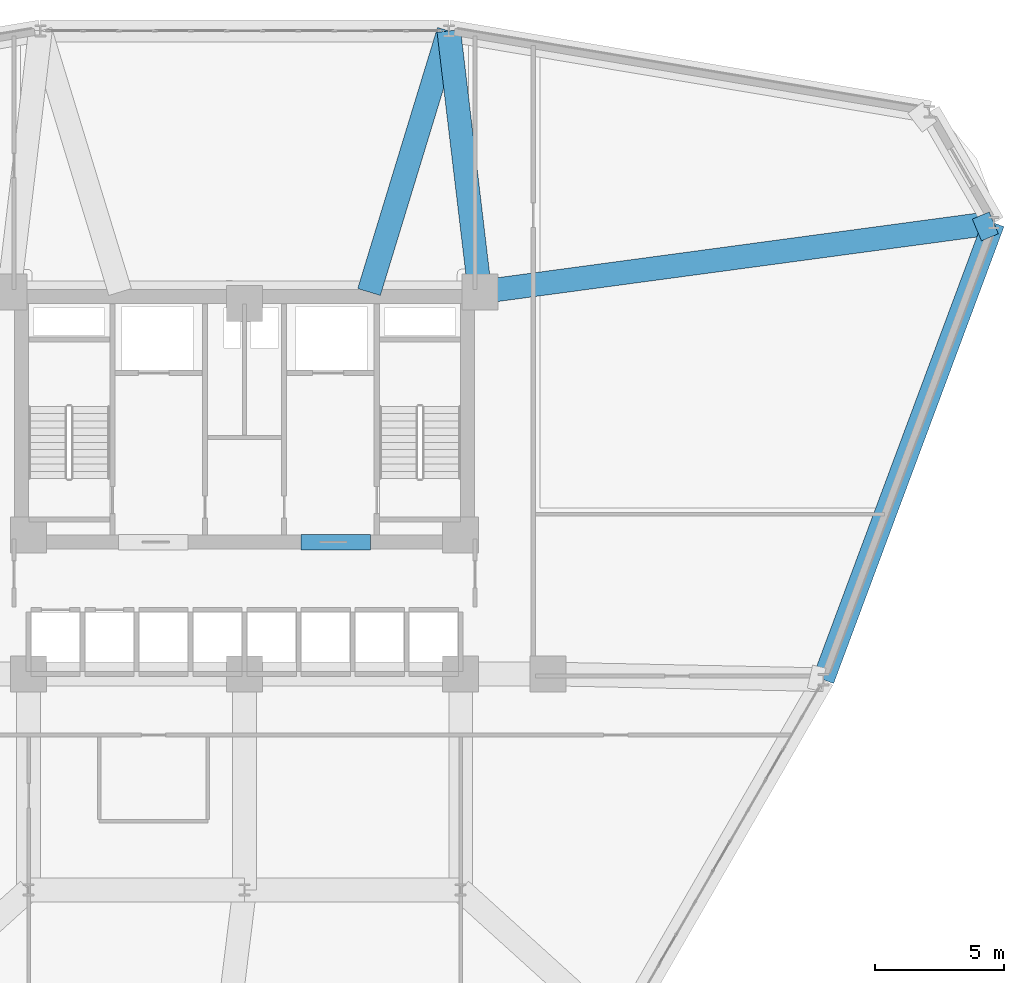
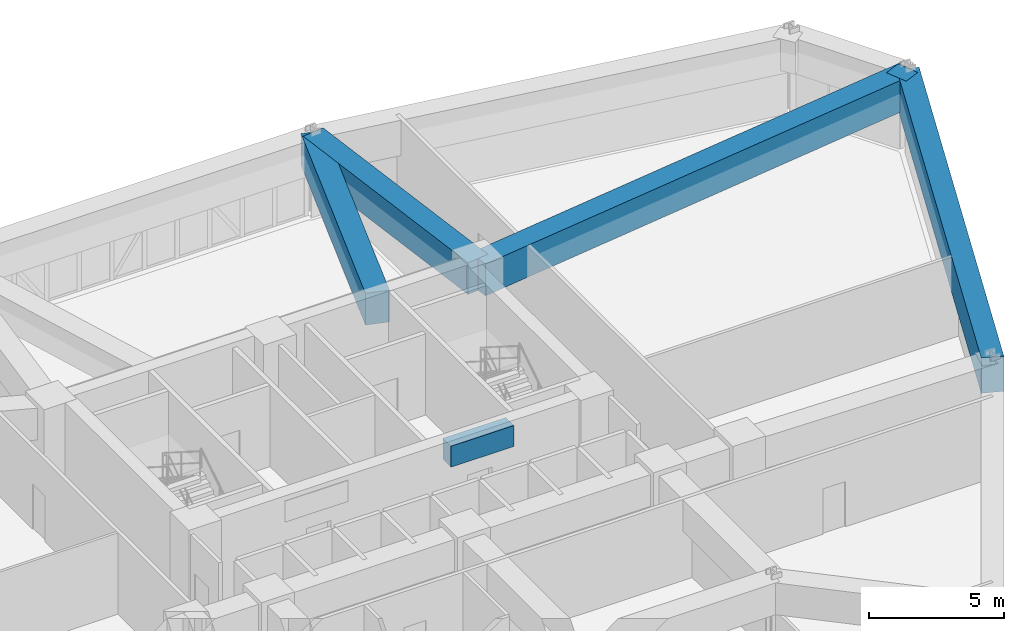
# One storey, part 12 of 20: 6 beams.
"""IFC4 building model written with IfcOpenShell, lengths in metres."""

import ifcopenshell
import ifcopenshell.guid

model = None  # the IFC model being written
_history = None  # IfcOwnerHistory: only IFC2X3 demands one
_inside = {}  # id of a spatial element -> (the spatial element, [elements in it])
_under = {}  # id of a project, library or spatial element -> (it, [spatial elements below it])
_declared = {}  # id of a project -> (the project, [libraries it declares])
_typed = {}  # id of a type object -> (the type object, [elements of that type])
_made_of = {}  # id of a material, layer set ... -> (it, [elements and type objects made of it])


def new_model(schema):
    """Start an empty IFC model of exactly this schema.

    Asked for "IFC4X3", IfcOpenShell would pick the latest addendum, in which some entities
    have other attributes; the version numbers below select the first issue.
    IFC2X3 requires an IfcOwnerHistory on every rooted entity: one is made here for all.
    """
    global model, _history
    if schema == "IFC4X3":
        model = ifcopenshell.file(schema_version=(4, 3, 0, 0))
    else:
        model = ifcopenshell.file(schema=schema)
    _inside.clear()
    _under.clear()
    _declared.clear()
    _typed.clear()
    _made_of.clear()
    _history = None
    if model.schema == "IFC2X3":
        org = make("IfcOrganization", Name="unknown")
        user = make(
            "IfcPersonAndOrganization",
            ThePerson=make("IfcPerson", FamilyName="unknown"),
            TheOrganization=org,
        )
        app = make(
            "IfcApplication",
            ApplicationDeveloper=org,
            Version="unknown",
            ApplicationFullName="unknown",
            ApplicationIdentifier="unknown",
        )
        _history = make(
            "IfcOwnerHistory",
            OwningUser=user,
            OwningApplication=app,
            ChangeAction="ADDED",
            CreationDate=0,
        )
    return model


def make(cls, **values):
    """One entity of the class cls with the attributes given. An attribute that is None is left unset."""
    return model.create_entity(
        cls, **{name: value for name, value in values.items() if value is not None}
    )


def rooted(cls, **values):
    """An entity with a GlobalId (a new one), such as an element, a storey or a relation."""
    return make(cls, GlobalId=ifcopenshell.guid.new(), OwnerHistory=_history, **values)


def si_unit(unit_type, name, prefix=None):
    """IfcSIUnit, for example si_unit("LENGTHUNIT", "METRE", prefix="MILLI")."""
    return make("IfcSIUnit", UnitType=unit_type, Prefix=prefix, Name=name)


def derived_unit(unit_type, elements):
    """IfcDerivedUnit: a product of units, each with its exponent."""
    return make(
        "IfcDerivedUnit",
        Elements=[
            make("IfcDerivedUnitElement", Unit=unit, Exponent=power)
            for unit, power in elements
        ],
        UnitType=unit_type,
    )


def assignment(units):
    """IfcUnitAssignment: the units of a project."""
    return None if units is None else make("IfcUnitAssignment", Units=units)


def point(xyz):
    """IfcCartesianPoint."""
    return None if xyz is None else make("IfcCartesianPoint", Coordinates=xyz)


def direction(xyz):
    """IfcDirection."""
    return None if xyz is None else make("IfcDirection", DirectionRatios=xyz)


def frame(location, z_axis=None, x_axis=None):
    """IfcAxis2Placement3D, a coordinate frame: its origin and axes. An axis left out is left unset."""
    return make(
        "IfcAxis2Placement3D",
        Location=point(location),
        Axis=direction(z_axis),
        RefDirection=direction(x_axis),
    )


def frame_2d(location, x_axis=None):
    """IfcAxis2Placement2D, a coordinate frame in the plane: its origin and x axis."""
    return make(
        "IfcAxis2Placement2D", Location=point(location), RefDirection=direction(x_axis)
    )


def origin():
    """The frame at (0, 0, 0) with its axes left unset."""
    return frame((0.0, 0.0, 0.0))


def origin_2d():
    """The frame at (0, 0) in the plane with its x axis left unset."""
    return frame_2d((0.0, 0.0))


def place(relative_to, where):
    """IfcLocalPlacement: puts the frame where relative to a parent placement (None: the world)."""
    return make(
        "IfcLocalPlacement", PlacementRelTo=relative_to, RelativePlacement=where
    )


def context(
    kind, dimensions, precision=None, world=None, true_north=None, identifier=None
):
    """IfcGeometricRepresentationContext, for example the 3D "Model" context."""
    return make(
        "IfcGeometricRepresentationContext",
        ContextIdentifier=identifier,
        ContextType=kind,
        CoordinateSpaceDimension=dimensions,
        Precision=precision,
        WorldCoordinateSystem=world,
        TrueNorth=true_north,
    )


def subcontext(parent, identifier, kind, view, scale=None):
    """IfcGeometricRepresentationSubContext, for example "Body" below "Model"."""
    return make(
        "IfcGeometricRepresentationSubContext",
        ContextIdentifier=identifier,
        ContextType=kind,
        ParentContext=parent,
        TargetScale=scale,
        TargetView=view,
    )


def project(units=None, contexts=None):
    """IfcProject with its units and contexts."""
    return rooted(
        "IfcProject",
        Name="project",
        RepresentationContexts=contexts,
        UnitsInContext=assignment(units),
    )


def spatial(cls, under=None, at=None, **own):
    """A site, building, storey or space (cls), placed at a placement, below another one or the project."""
    s = rooted(cls, ObjectPlacement=at, **own)
    if under is not None:
        _under.setdefault(under.id(), (under, []))[1].append(s)
    return s


def profile(cls, at=None, kind="AREA", **sizes):
    """A parametric profile (cls). Its sizes go by their IFC names, for example OverallWidth=200.0."""
    return make(cls, ProfileType=kind, Position=at, **sizes)


def rectangle(**sizes):
    """IfcRectangleProfileDef."""
    return profile("IfcRectangleProfileDef", **sizes)


def extrude(swept, where, along, depth):
    """IfcExtrudedAreaSolid: the profile swept, set in the frame where, extruded along a direction by depth."""
    return make(
        "IfcExtrudedAreaSolid",
        SweptArea=swept,
        Position=where,
        ExtrudedDirection=direction(along),
        Depth=depth,
    )


def shape(context_of_items, identifier, shape_type, items):
    """IfcShapeRepresentation: the items that make up one representation, for example the "Body"."""
    return make(
        "IfcShapeRepresentation",
        ContextOfItems=context_of_items,
        RepresentationIdentifier=identifier,
        RepresentationType=shape_type,
        Items=items,
    )


def source(mapping_origin, context_of_items, identifier, shape_type, items):
    """IfcRepresentationMap: a shape defined once, which mapped items show again and again."""
    return make(
        "IfcRepresentationMap",
        MappingOrigin=mapping_origin,
        MappedRepresentation=shape(context_of_items, identifier, shape_type, items),
    )


def transform(
    local_origin,
    x_axis=None,
    y_axis=None,
    z_axis=None,
    scale=None,
    scale2=None,
    scale3=None,
    uniform=True,
):
    """IfcCartesianTransformationOperator3D, or its non-uniform kind. x_axis, y_axis, z_axis: its Axis1, 2, 3."""
    if uniform:
        return make(
            "IfcCartesianTransformationOperator3D",
            Axis1=direction(x_axis),
            Axis2=direction(y_axis),
            LocalOrigin=point(local_origin),
            Scale=scale,
            Axis3=direction(z_axis),
        )
    return make(
        "IfcCartesianTransformationOperator3DnonUniform",
        Axis1=direction(x_axis),
        Axis2=direction(y_axis),
        LocalOrigin=point(local_origin),
        Scale=scale,
        Axis3=direction(z_axis),
        Scale2=scale2,
        Scale3=scale3,
    )


def mapped(mapping_source, mapping_target):
    """IfcMappedItem: shows the shape of a source again, moved by a transform."""
    return make(
        "IfcMappedItem", MappingSource=mapping_source, MappingTarget=mapping_target
    )


def material(Name=None, Category=None):
    """IfcMaterial."""
    return make("IfcMaterial", Name=Name, Category=Category)


def material_profile(
    of_material, cross_section, Name=None, Category=None, Priority=None
):
    """IfcMaterialProfile: a cross section and its material."""
    return make(
        "IfcMaterialProfile",
        Name=Name,
        Material=of_material,
        Profile=cross_section,
        Priority=Priority,
        Category=Category,
    )


def profile_set(profiles, Name=None, composite=None):
    """IfcMaterialProfileSet."""
    return make(
        "IfcMaterialProfileSet",
        Name=Name,
        MaterialProfiles=profiles,
        CompositeProfile=composite,
    )


def made_of(thing, what):
    """Note that an element or type object is made of a material, layer set ...; save() writes the relation."""
    if what is not None:
        _made_of.setdefault(what.id(), (what, []))[1].append(thing)
    return thing


def type_object(cls, material=None, **own):
    """A type object (cls), such as IfcWallType, which elements share."""
    return made_of(rooted(cls, **own), material)


def element(
    cls,
    number,
    at=None,
    inside=None,
    cuts=None,
    type_object=None,
    material=None,
    context=None,
    identifier="Body",
    shape_type=None,
    held_by="IfcProductDefinitionShape",
    body=None,
    shapes=None,
    **own,
):
    """One element of the class cls, such as IfcWall. Its Tag is "e" and its number.

    at: its placement. inside: the storey or other place that contains it. cuts: it is an
    opening in that element (IfcRelVoidsElement). A single representation is given by context,
    identifier, shape_type and body (its items); several are given by shapes. held_by: the class
    of the entity that holds the representations. save() writes the other relations.
    """
    e = rooted(cls, Tag="e%d" % number, ObjectPlacement=at, **own)
    if body is not None:
        shapes = [shape(context, identifier, shape_type, body)]
    if shapes is not None:
        e.Representation = make(held_by, Representations=shapes)
    if inside is not None:
        _inside.setdefault(inside.id(), (inside, []))[1].append(e)
    if cuts is not None:
        rooted(
            "IfcRelVoidsElement", RelatingBuildingElement=cuts, RelatedOpeningElement=e
        )
    if type_object is not None:
        _typed.setdefault(type_object.id(), (type_object, []))[1].append(e)
    return made_of(e, material)


def aggregate(whole, parts):
    """IfcRelAggregates: a whole, such as a stair, and the parts it consists of."""
    return rooted("IfcRelAggregates", RelatingObject=whole, RelatedObjects=parts)


def save(model, path):
    """Write the relations noted so far, then the file.

    IfcRelAggregates (storeys below a building ...), IfcRelContainedInSpatialStructure (elements
    in a storey), IfcRelDefinesByType, IfcRelAssociatesMaterial and IfcRelDeclares: one each for
    every whole, place, type object, material and project.
    """
    for whole, parts in _under.values():
        aggregate(whole, parts)
    for where, things in _inside.values():
        rooted(
            "IfcRelContainedInSpatialStructure",
            RelatedElements=things,
            RelatingStructure=where,
        )
    for kind, things in _typed.values():
        rooted("IfcRelDefinesByType", RelatedObjects=things, RelatingType=kind)
    for what, things in _made_of.values():
        rooted("IfcRelAssociatesMaterial", RelatedObjects=things, RelatingMaterial=what)
    for by, libraries in _declared.values():
        rooted("IfcRelDeclares", RelatingContext=by, RelatedDefinitions=libraries)
    model.write(path)


model = new_model("IFC4")

# Units and contexts
model_context = context("Model", 3, precision=1e-05, world=origin(), true_north=direction((0.0, 1.0)))
body_context = subcontext(model_context, "Body", "Model", "MODEL_VIEW")
ifc_project = project(units=[si_unit("LENGTHUNIT", "METRE"), si_unit("AREAUNIT", "SQUARE_METRE"), si_unit("VOLUMEUNIT", "CUBIC_METRE"), si_unit("PLANEANGLEUNIT", "RADIAN"), si_unit("MASSUNIT", "GRAM", prefix="KILO"), derived_unit("THERMALTRANSMITTANCEUNIT", [(si_unit("POWERUNIT", "WATT"), 1), (si_unit("LENGTHUNIT", "METRE"), -2), (si_unit("THERMODYNAMICTEMPERATUREUNIT", "KELVIN"), -1)])], contexts=[model_context])

# Site, building, storey
site_placement = place(None, origin())
site = spatial("IfcSite", under=ifc_project, at=site_placement, CompositionType="ELEMENT")
building_placement = place(site_placement, origin())
building = spatial("IfcBuilding", under=site, at=building_placement, Name="Korsvarv Bourse and Concert Hall", CompositionType="ELEMENT")
storey_placement = place(building_placement, frame((0.0, 0.0, 43.5)))
storey = spatial("IfcBuildingStorey", under=building, at=storey_placement, Name="L10", CompositionType="ELEMENT", Elevation=43.5)

# Beams
ifc_material_1 = material(Name="Concrete C55/67", Category="concrete")
ifc_material_profile_1 = material_profile(ifc_material_1, rectangle(XDim=0.60009765625, YDim=0.949951171875, at=origin_2d()), Name="RC-BM 600x950")
ifc_profile_set_1 = profile_set([ifc_material_profile_1], Name="Concrete C55/67")
beam_type_1 = type_object("IfcBeamType", Name="BM-CPL", PredefinedType="LINTEL", material=ifc_profile_set_1)
shared_shape_1 = source(origin(), body_context, "Body", "SweptSolid", [
    extrude(rectangle(XDim=0.60009765625, YDim=0.949951171875, at=origin_2d()), origin(), (0.0, 0.0, 1.0), 2.699951171875),
])
beam_1_placement = place(storey_placement, frame((38.199951171875, 37.52490234375, 3.205078125), z_axis=(1.0, 0.0, 0.0), x_axis=(0.0, 1.0, 0.0)))
element("IfcBeam", 1, at=beam_1_placement, inside=storey, type_object=beam_type_1, Name="L10 Core Coupling Beam East", PredefinedType="LINTEL", context=body_context, shape_type="MappedRepresentation", body=[
    mapped(shared_shape_1, transform((0.0, 0.0, 0.0), scale=1.0)),
])
ifc_material_profile_2 = material_profile(ifc_material_1, rectangle(XDim=0.85009765625, YDim=1.60009765625, at=origin_2d()), Name="RC-BM 850x1600")
ifc_profile_set_2 = profile_set([ifc_material_profile_2], Name="Concrete C55/67")
beam_type_2 = type_object("IfcBeamType", Name="BM-TR1B", PredefinedType="BEAM", material=ifc_profile_set_2)
shared_shape_2 = source(origin(), body_context, "Body", "SweptSolid", [
    extrude(rectangle(XDim=0.85009765625, YDim=1.60009765625, at=origin_2d()), origin(), (0.0, 0.0, 1.0), 18.95849609375),
])
beam_2_placement = place(storey_placement, frame((58.5048828125, 32.176513671875, 2.8798828125), z_axis=(0.349449133057, 0.936955336932, 0.0), x_axis=(-0.936955336932, 0.349449133057, 0.0)))
element("IfcBeam", 2, at=beam_2_placement, inside=storey, type_object=beam_type_2, Name="L10 beam B-TR2", PredefinedType="BEAM", context=body_context, shape_type="MappedRepresentation", body=[
    mapped(shared_shape_2, transform((0.0, 0.0, 0.0), scale=1.0)),
])
ifc_material_2 = material(Name="Concrete C50/60", Category="concrete")
ifc_material_profile_3 = material_profile(ifc_material_2, rectangle(XDim=0.919921875, YDim=1.43994140625, at=origin_2d()), Name="RC-BM 920x1440")
ifc_profile_set_3 = profile_set([ifc_material_profile_3], Name="Concrete C50/60")
beam_type_3 = type_object("IfcBeamType", Name="BM-TR-144", PredefinedType="BEAM", material=ifc_profile_set_3)
shared_shape_3 = source(origin(), body_context, "Body", "SweptSolid", [
    extrude(rectangle(XDim=0.919921875, YDim=1.43994140625, at=origin_2d()), origin(), (0.0, 0.0, 1.0), 20.16015625),
])
beam_3_placement = place(storey_placement, frame((65.1298828125, 49.939697265625, 2.9599609375), z_axis=(-0.99106010736, -0.13341612946, 0.0), x_axis=(0.13341612946, -0.99106010736, 0.0)))
element("IfcBeam", 3, at=beam_3_placement, inside=storey, type_object=beam_type_3, Name="L10 beam B-TR4", PredefinedType="BEAM", context=body_context, shape_type="MappedRepresentation", body=[
    mapped(shared_shape_3, transform((0.0, 0.0, 0.0), scale=1.0)),
])
shared_shape_4 = source(origin(), body_context, "Body", "SweptSolid", [
    extrude(rectangle(XDim=0.919921875, YDim=1.43994140625, at=origin_2d()), origin(), (0.0, 0.0, 1.0), 10.223388671875),
])
beam_4_placement = place(storey_placement, frame((43.941162109375, 57.401611328125, 2.9599609375), z_axis=(0.118233633582, -0.992985804476, 0.0), x_axis=(0.992985804476, 0.118233633582, 0.0)))
element("IfcBeam", 4, at=beam_4_placement, inside=storey, type_object=beam_type_3, Name="L10 beam B-TR4", PredefinedType="BEAM", context=body_context, shape_type="MappedRepresentation", body=[
    mapped(shared_shape_4, transform((0.0, 0.0, 0.0), scale=1.0)),
])
shared_shape_5 = source(origin(), body_context, "Body", "SweptSolid", [
    extrude(rectangle(XDim=0.919921875, YDim=1.43994140625, at=origin_2d()), origin(), (0.0, 0.0, 1.0), 0.711669921875),
])
beam_5_placement = place(storey_placement, frame((65.1298828125, 49.939697265625, 2.9599609375), z_axis=(-0.92091041483, -0.389774303743, 0.0), x_axis=(0.389774303743, -0.92091041483, 0.0)))
element("IfcBeam", 5, at=beam_5_placement, inside=storey, type_object=beam_type_3, Name="L10 beam B-TR4", PredefinedType="BEAM", context=body_context, shape_type="MappedRepresentation", body=[
    mapped(shared_shape_5, transform((0.0, 0.0, 0.0), scale=1.0)),
])
shared_shape_6 = source(origin(), body_context, "Body", "SweptSolid", [
    extrude(rectangle(XDim=0.919921875, YDim=1.43994140625, at=origin_2d()), origin(), (0.0, 0.0, 1.0), 10.61474609375),
])
beam_6_placement = place(storey_placement, frame((43.941162109375, 57.401611328125, 2.9599609375), z_axis=(-0.292148998474, -0.956372815742, 0.0), x_axis=(0.956372815742, -0.292148998474, 0.0)))
element("IfcBeam", 6, at=beam_6_placement, inside=storey, type_object=beam_type_3, Name="L10 beam B-TR4", PredefinedType="BEAM", context=body_context, shape_type="MappedRepresentation", body=[
    mapped(shared_shape_6, transform((0.0, 0.0, 0.0), scale=1.0)),
])

save(model, "model.ifc")
